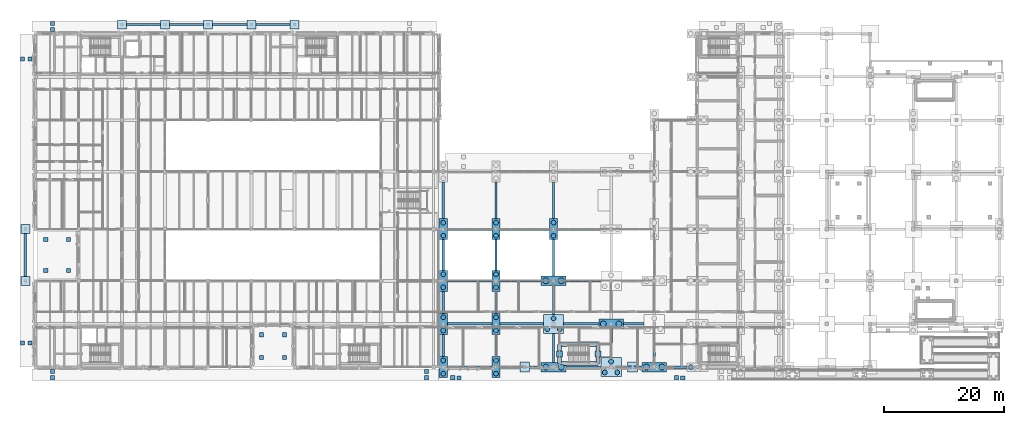
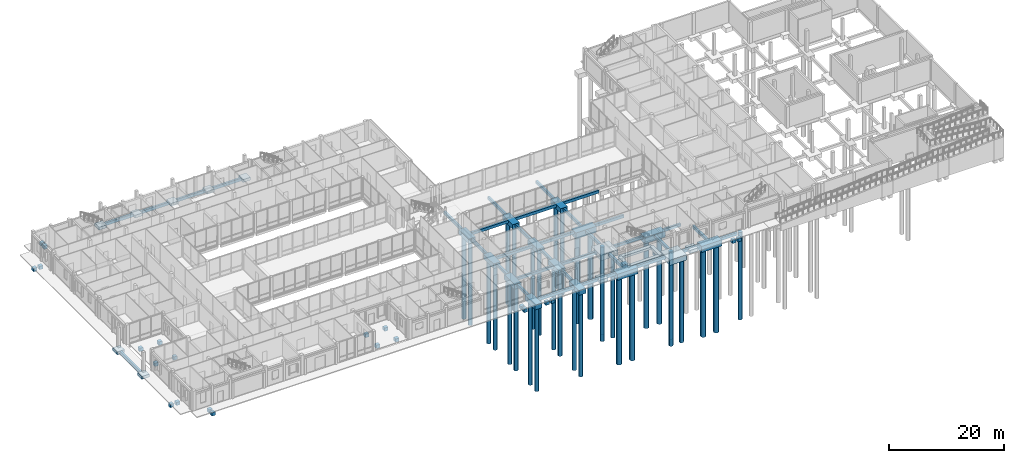
# One storey, part 1 of 104: 86 footings, 33 piles.
"""IFC4 building model written with IfcOpenShell, lengths in metres."""

from ifc_helpers import new_model, si_unit, direction, frame, origin, origin_2d, place, context, subcontext, project, spatial, rectangle, circle, extrude, material, layer, layer_set, material_profile, profile_set, type_object, element, save


model = new_model("IFC4")

# Units and contexts
model_context = context("Model", 3, precision=1e-05, world=origin(), true_north=direction((0.0, 1.0)))
body_context = subcontext(model_context, "Body", "Model", "MODEL_VIEW")
ifc_project = project(units=[si_unit("LENGTHUNIT", "METRE"), si_unit("AREAUNIT", "SQUARE_METRE"), si_unit("VOLUMEUNIT", "CUBIC_METRE"), si_unit("PLANEANGLEUNIT", "RADIAN"), si_unit("MASSUNIT", "GRAM", prefix="KILO")], contexts=[model_context])

# Site, building, storey
site_placement = place(None, origin())
site = spatial("IfcSite", under=ifc_project, at=site_placement, CompositionType="ELEMENT")
building_placement = place(site_placement, origin())
building = spatial("IfcBuilding", under=site, at=building_placement, Name="Hawrajan Terrace Health Centre", CompositionType="ELEMENT")
storey_placement = place(building_placement, origin())
storey = spatial("IfcBuildingStorey", under=building, at=storey_placement, Name="L00", CompositionType="ELEMENT", Elevation=0.0)

# Piles
ifc_material = material(Name="Concrete C40/50", Category="concrete")
ifc_material_profile_1 = material_profile(ifc_material, circle(Radius=0.5, at=origin_2d()), Name="BP 1000")
ifc_profile_set_1 = profile_set([ifc_material_profile_1], Name="Concrete C40/50")
pile_type_1 = type_object("IfcPileType", Name="BoredPile_1000", PredefinedType="BORED", material=ifc_profile_set_1)
for number, where, z_axis, x_axis, name in (
    (1, (89.699951171875, 4.199951171875, -0.5), (0.0, 0.0, -1.0), (1.0, 0.0, 0.0), "Bored pile P-263"),
    (2, (92.300048828125, 4.199951171875, -0.5), (0.0, 0.0, -1.0), (1.0, 0.0, 0.0), "Bored pile P-264"),
    (3, (89.699951171875, 18.60009765625, -0.5), (0.0, 0.0, -1.0), (1.0, 0.0, 0.0), "Bored pile P-268"),
    (4, (92.300048828125, 18.60009765625, -0.5), (0.0, 0.0, -1.0), (1.0, 0.0, 0.0), "Bored pile P-269"),
    (5, (99.300048828125, 11.39990234375, -0.5), (0.0, 0.0, -1.0), (1.0, 0.0, 0.0), "Bored pile P-277"),
    (6, (101.89990234375, 11.39990234375, -0.5), (0.0, 0.0, -1.0), (1.0, 0.0, 0.0), "Bored pile P-278"),
    (7, (106.5, 4.199951171875, -0.5), (0.0, 0.0, -1.0), (1.0, 0.0, 0.0), "Bored pile P-286"),
    (8, (109.10009765625, 4.199951171875, -0.5), (0.0, 0.0, -1.0), (1.0, 0.0, 0.0), "Bored pile P-287"),
):
    element("IfcPile", number, at=place(storey_placement, frame(where, z_axis=z_axis, x_axis=x_axis)), inside=storey, type_object=pile_type_1, Name=name, PredefinedType="BORED", context=body_context, shape_type="SweptSolid", body=[
        extrude(circle(Radius=0.5, at=origin_2d()), origin(), (0.0, 0.0, 1.0), 19.5),
    ])
ifc_material_profile_2 = material_profile(ifc_material, circle(Radius=0.39990234375, at=origin_2d()), Name="BP 800")
ifc_profile_set_2 = profile_set([ifc_material_profile_2], Name="Concrete C40/50")
pile_type_2 = type_object("IfcPileType", Name="BoredPile_800", PredefinedType="BORED", material=ifc_profile_set_2)
for number, where, z_axis, x_axis, name in (
    (9, (72.60009765625, 3.10009765625, -0.5), (0.0, 0.0, -1.0), (1.0, 0.0, 0.0), "Bored pile P-243"),
    (10, (72.60009765625, 5.300048828125, -0.5), (0.0, 0.0, -1.0), (1.0, 0.0, 0.0), "Bored pile P-244"),
    (11, (72.60009765625, 10.300048828125, -0.5), (0.0, 0.0, -1.0), (1.0, 0.0, 0.0), "Bored pile P-245"),
    (12, (72.60009765625, 12.5, -0.5), (0.0, 0.0, -1.0), (1.0, 0.0, 0.0), "Bored pile P-246"),
    (13, (72.60009765625, 17.5, -0.5), (0.0, 0.0, -1.0), (1.0, 0.0, 0.0), "Bored pile P-247"),
    (14, (72.60009765625, 19.699951171875, -0.5), (0.0, 0.0, -1.0), (1.0, 0.0, 0.0), "Bored pile P-248"),
    (15, (72.60009765625, 26.10009765625, -0.5), (0.0, 0.0, -1.0), (1.0, 0.0, 0.0), "Bored pile P-249"),
    (16, (72.60009765625, 28.300048828125, -0.5), (0.0, 0.0, -1.0), (1.0, 0.0, 0.0), "Bored pile P-250"),
    (17, (81.39990234375, 3.10009765625, -0.5), (0.0, 0.0, -1.0), (1.0, 0.0, 0.0), "Bored pile P-253"),
    (18, (81.39990234375, 5.300048828125, -0.5), (0.0, 0.0, -1.0), (1.0, 0.0, 0.0), "Bored pile P-254"),
    (19, (81.39990234375, 10.300048828125, -0.5), (0.0, 0.0, -1.0), (1.0, 0.0, 0.0), "Bored pile P-255"),
    (20, (81.39990234375, 12.5, -0.5), (0.0, 0.0, -1.0), (1.0, 0.0, 0.0), "Bored pile P-256"),
    (21, (81.39990234375, 17.5, -0.5), (0.0, 0.0, -1.0), (1.0, 0.0, 0.0), "Bored pile P-257"),
    (22, (81.39990234375, 19.699951171875, -0.5), (0.0, 0.0, -1.0), (1.0, 0.0, 0.0), "Bored pile P-258"),
    (23, (81.39990234375, 26.10009765625, -0.5), (0.0, 0.0, -1.0), (1.0, 0.0, 0.0), "Bored pile P-259"),
    (24, (81.39990234375, 28.300048828125, -0.5), (0.0, 0.0, -1.0), (1.0, 0.0, 0.0), "Bored pile P-260"),
    (25, (89.949951171875, 10.5, -0.5), (0.0, 0.0, -1.0), (1.0, 0.0, 0.0), "Bored pile P-265"),
    (26, (92.050048828125, 10.5, -0.5), (0.0, 0.0, -1.0), (1.0, 0.0, 0.0), "Bored pile P-266"),
    (27, (91.0, 12.320068359375, -0.5), (0.0, 0.0, -1.0), (1.0, 0.0, 0.0), "Bored pile P-267"),
    (28, (91.0, 26.10009765625, -0.5), (0.0, 0.0, -1.0), (1.0, 0.0, 0.0), "Bored pile P-270"),
    (29, (91.0, 28.300048828125, -0.5), (0.0, 0.0, -1.0), (1.0, 0.0, 0.0), "Bored pile P-271"),
    (30, (99.550048828125, 3.300048828125, -0.5), (0.0, 0.0, -1.0), (1.0, 0.0, 0.0), "Bored pile P-274"),
    (31, (101.64990234375, 3.300048828125, -0.5), (0.0, 0.0, -1.0), (1.0, 0.0, 0.0), "Bored pile P-275"),
    (32, (100.60009765625, 5.1201171875, -0.5), (0.0, 0.0, -1.0), (1.0, 0.0, 0.0), "Bored pile P-276"),
    (33, (113.89990234375, 4.199951171875, -0.5), (0.0, 0.0, -1.0), (1.0, 0.0, 0.0), "Bored pile P-299"),
):
    element("IfcPile", number, at=place(storey_placement, frame(where, z_axis=z_axis, x_axis=x_axis)), inside=storey, type_object=pile_type_2, Name=name, PredefinedType="BORED", context=body_context, shape_type="SweptSolid", body=[
        extrude(circle(Radius=0.39990234375, at=origin_2d()), origin(), (0.0, 0.0, 1.0), 18.5),
    ])

# Footings
ifc_material_profile_3 = material_profile(ifc_material, rectangle(XDim=0.39990234375, YDim=0.60009765625, at=origin_2d()), Name="RC BM 400x600")
ifc_profile_set_3 = profile_set([ifc_material_profile_3], Name="Concrete C40/50")
footing_type_1 = type_object("IfcFootingType", Name="GroundBeam_400x600", PredefinedType="FOOTING_BEAM", material=ifc_profile_set_3)
footing_1_placement = place(storey_placement, frame((73.300048828125, 4.199951171875, -0.699951171875), z_axis=(1.0, 0.0, 0.0), x_axis=(0.0, 1.0, 0.0)))
element("IfcFooting", 34, at=footing_1_placement, inside=storey, type_object=footing_type_1, Name="Ground tie beam GB-X-C-10-1", PredefinedType="FOOTING_BEAM", context=body_context, shape_type="SweptSolid", body=[
    extrude(rectangle(XDim=0.39990234375, YDim=0.60009765625, at=origin_2d()), origin(), (0.0, 0.0, 1.0), 7.39990234375),
])
footing_2_placement = place(storey_placement, frame((72.60009765625, 5.949951171875, -0.699951171875), z_axis=(0.0, 1.0, 0.0), x_axis=(-1.0, 0.0, 0.0)))
element("IfcFooting", 35, at=footing_2_placement, inside=storey, type_object=footing_type_1, Name="Ground tie beam GB-Y-C-10-1", PredefinedType="FOOTING_BEAM", context=body_context, shape_type="SweptSolid", body=[
    extrude(rectangle(XDim=0.39990234375, YDim=0.60009765625, at=origin_2d()), origin(), (0.0, 0.0, 1.0), 3.699951171875),
])
footing_3_placement = place(storey_placement, frame((73.300048828125, 11.39990234375, -0.699951171875), z_axis=(1.0, 0.0, 0.0), x_axis=(0.0, 1.0, 0.0)))
element("IfcFooting", 36, at=footing_3_placement, inside=storey, type_object=footing_type_1, Name="Ground tie beam GB-X-C-10-2", PredefinedType="FOOTING_BEAM", context=body_context, shape_type="SweptSolid", body=[
    extrude(rectangle(XDim=0.39990234375, YDim=0.60009765625, at=origin_2d()), origin(), (0.0, 0.0, 1.0), 7.39990234375),
])
footing_4_placement = place(storey_placement, frame((72.60009765625, 13.14990234375, -0.699951171875), z_axis=(0.0, 1.0, 0.0), x_axis=(-1.0, 0.0, 0.0)))
element("IfcFooting", 37, at=footing_4_placement, inside=storey, type_object=footing_type_1, Name="Ground tie beam GB-Y-C-10-2", PredefinedType="FOOTING_BEAM", context=body_context, shape_type="SweptSolid", body=[
    extrude(rectangle(XDim=0.39990234375, YDim=0.60009765625, at=origin_2d()), origin(), (0.0, 0.0, 1.0), 3.7001953125),
])
footing_5_placement = place(storey_placement, frame((73.300048828125, 18.60009765625, -0.699951171875), z_axis=(1.0, 0.0, 0.0), x_axis=(0.0, 1.0, 0.0)))
element("IfcFooting", 38, at=footing_5_placement, inside=storey, type_object=footing_type_1, Name="Ground tie beam GB-X-C-10-3", PredefinedType="FOOTING_BEAM", context=body_context, shape_type="SweptSolid", body=[
    extrude(rectangle(XDim=0.39990234375, YDim=0.60009765625, at=origin_2d()), origin(), (0.0, 0.0, 1.0), 7.39990234375),
])
footing_6_placement = place(storey_placement, frame((72.60009765625, 20.35009765625, -0.699951171875), z_axis=(0.0, 1.0, 0.0), x_axis=(-1.0, 0.0, 0.0)))
element("IfcFooting", 39, at=footing_6_placement, inside=storey, type_object=footing_type_1, Name="Ground tie beam GB-Y-C-10-3", PredefinedType="FOOTING_BEAM", context=body_context, shape_type="SweptSolid", body=[
    extrude(rectangle(XDim=0.39990234375, YDim=0.60009765625, at=origin_2d()), origin(), (0.0, 0.0, 1.0), 5.099853515625),
])
footing_7_placement = place(storey_placement, frame((73.300048828125, 27.199951171875, -0.699951171875), z_axis=(1.0, 0.0, 0.0), x_axis=(0.0, 1.0, 0.0)))
element("IfcFooting", 40, at=footing_7_placement, inside=storey, type_object=footing_type_1, Name="Ground tie beam GB-X-C-10-4", PredefinedType="FOOTING_BEAM", context=body_context, shape_type="SweptSolid", body=[
    extrude(rectangle(XDim=0.39990234375, YDim=0.60009765625, at=origin_2d()), origin(), (0.0, 0.0, 1.0), 7.39990234375),
])
footing_8_placement = place(storey_placement, frame((72.60009765625, 28.949951171875, -0.699951171875), z_axis=(0.0, 1.0, 0.0), x_axis=(-1.0, 0.0, 0.0)))
element("IfcFooting", 41, at=footing_8_placement, inside=storey, type_object=footing_type_1, Name="Ground tie beam GB-Y-C-10-4", PredefinedType="FOOTING_BEAM", context=body_context, shape_type="SweptSolid", body=[
    extrude(rectangle(XDim=0.39990234375, YDim=0.60009765625, at=origin_2d()), origin(), (0.0, 0.0, 1.0), 6.10009765625),
])
footing_9_placement = place(storey_placement, frame((82.10009765625, 4.199951171875, -0.699951171875), z_axis=(1.0, 0.0, 0.0), x_axis=(0.0, 1.0, 0.0)))
element("IfcFooting", 42, at=footing_9_placement, inside=storey, type_object=footing_type_1, Name="Ground tie beam GB-X-C-11-1", PredefinedType="FOOTING_BEAM", context=body_context, shape_type="SweptSolid", body=[
    extrude(rectangle(XDim=0.39990234375, YDim=0.60009765625, at=origin_2d()), origin(), (0.0, 0.0, 1.0), 6.849853515625),
])
footing_10_placement = place(storey_placement, frame((81.39990234375, 5.949951171875, -0.699951171875), z_axis=(0.0, 1.0, 0.0), x_axis=(-1.0, 0.0, 0.0)))
element("IfcFooting", 43, at=footing_10_placement, inside=storey, type_object=footing_type_1, Name="Ground tie beam GB-Y-C-11-1", PredefinedType="FOOTING_BEAM", context=body_context, shape_type="SweptSolid", body=[
    extrude(rectangle(XDim=0.39990234375, YDim=0.60009765625, at=origin_2d()), origin(), (0.0, 0.0, 1.0), 3.699951171875),
])
footing_11_placement = place(storey_placement, frame((82.10009765625, 11.39990234375, -0.699951171875), z_axis=(1.0, 0.0, 0.0), x_axis=(0.0, 1.0, 0.0)))
element("IfcFooting", 44, at=footing_11_placement, inside=storey, type_object=footing_type_1, Name="Ground tie beam GB-X-C-11-2", PredefinedType="FOOTING_BEAM", context=body_context, shape_type="SweptSolid", body=[
    extrude(rectangle(XDim=0.39990234375, YDim=0.60009765625, at=origin_2d()), origin(), (0.0, 0.0, 1.0), 7.199951171875),
])
footing_12_placement = place(storey_placement, frame((81.39990234375, 13.14990234375, -0.699951171875), z_axis=(0.0, 1.0, 0.0), x_axis=(-1.0, 0.0, 0.0)))
element("IfcFooting", 45, at=footing_12_placement, inside=storey, type_object=footing_type_1, Name="Ground tie beam GB-Y-C-11-2", PredefinedType="FOOTING_BEAM", context=body_context, shape_type="SweptSolid", body=[
    extrude(rectangle(XDim=0.39990234375, YDim=0.60009765625, at=origin_2d()), origin(), (0.0, 0.0, 1.0), 3.7001953125),
])
footing_13_placement = place(storey_placement, frame((82.10009765625, 18.60009765625, -0.699951171875), z_axis=(1.0, 0.0, 0.0), x_axis=(0.0, 1.0, 0.0)))
element("IfcFooting", 46, at=footing_13_placement, inside=storey, type_object=footing_type_1, Name="Ground tie beam GB-X-C-11-3", PredefinedType="FOOTING_BEAM", context=body_context, shape_type="SweptSolid", body=[
    extrude(rectangle(XDim=0.39990234375, YDim=0.60009765625, at=origin_2d()), origin(), (0.0, 0.0, 1.0), 6.849853515625),
])
footing_14_placement = place(storey_placement, frame((81.39990234375, 20.35009765625, -0.699951171875), z_axis=(0.0, 1.0, 0.0), x_axis=(-1.0, 0.0, 0.0)))
element("IfcFooting", 47, at=footing_14_placement, inside=storey, type_object=footing_type_1, Name="Ground tie beam GB-Y-C-11-3", PredefinedType="FOOTING_BEAM", context=body_context, shape_type="SweptSolid", body=[
    extrude(rectangle(XDim=0.39990234375, YDim=0.60009765625, at=origin_2d()), origin(), (0.0, 0.0, 1.0), 5.099853515625),
])
footing_15_placement = place(storey_placement, frame((82.10009765625, 27.199951171875, -0.699951171875), z_axis=(1.0, 0.0, 0.0), x_axis=(0.0, 1.0, 0.0)))
element("IfcFooting", 48, at=footing_15_placement, inside=storey, type_object=footing_type_1, Name="Ground tie beam GB-X-C-11-4", PredefinedType="FOOTING_BEAM", context=body_context, shape_type="SweptSolid", body=[
    extrude(rectangle(XDim=0.39990234375, YDim=0.60009765625, at=origin_2d()), origin(), (0.0, 0.0, 1.0), 8.199951171875),
])
footing_16_placement = place(storey_placement, frame((81.39990234375, 28.949951171875, -0.699951171875), z_axis=(0.0, 1.0, 0.0), x_axis=(-1.0, 0.0, 0.0)))
element("IfcFooting", 49, at=footing_16_placement, inside=storey, type_object=footing_type_1, Name="Ground tie beam GB-Y-C-11-4", PredefinedType="FOOTING_BEAM", context=body_context, shape_type="SweptSolid", body=[
    extrude(rectangle(XDim=0.39990234375, YDim=0.60009765625, at=origin_2d()), origin(), (0.0, 0.0, 1.0), 6.10009765625),
])
footing_17_placement = place(storey_placement, frame((93.050048828125, 4.199951171875, -0.699951171875), z_axis=(1.0, 0.0, 0.0), x_axis=(0.0, 1.0, 0.0)))
element("IfcFooting", 50, at=footing_17_placement, inside=storey, type_object=footing_type_1, Name="Ground tie beam GB-X-C-12-1", PredefinedType="FOOTING_BEAM", context=body_context, shape_type="SweptSolid", body=[
    extrude(rectangle(XDim=0.39990234375, YDim=0.60009765625, at=origin_2d()), origin(), (0.0, 0.0, 1.0), 5.849853515625),
])
footing_18_placement = place(storey_placement, frame((91.0, 5.0, -0.699951171875), z_axis=(0.0, 1.0, 0.0), x_axis=(-1.0, 0.0, 0.0)))
element("IfcFooting", 51, at=footing_18_placement, inside=storey, type_object=footing_type_1, Name="Ground tie beam GB-Y-C-12-1", PredefinedType="FOOTING_BEAM", context=body_context, shape_type="SweptSolid", body=[
    extrude(rectangle(XDim=0.39990234375, YDim=0.60009765625, at=origin_2d()), origin(), (0.0, 0.0, 1.0), 4.800048828125),
])
footing_19_placement = place(storey_placement, frame((92.699951171875, 11.39990234375, -0.699951171875), z_axis=(1.0, 0.0, 0.0), x_axis=(0.0, 1.0, 0.0)))
element("IfcFooting", 52, at=footing_19_placement, inside=storey, type_object=footing_type_1, Name="Ground tie beam GB-X-C-12-2", PredefinedType="FOOTING_BEAM", context=body_context, shape_type="SweptSolid", body=[
    extrude(rectangle(XDim=0.39990234375, YDim=0.60009765625, at=origin_2d()), origin(), (0.0, 0.0, 1.0), 5.85009765625),
])
footing_20_placement = place(storey_placement, frame((91.0, 13.0, -0.699951171875), z_axis=(0.0, 1.0, 0.0), x_axis=(-1.0, 0.0, 0.0)))
element("IfcFooting", 53, at=footing_20_placement, inside=storey, type_object=footing_type_1, Name="Ground tie beam GB-Y-C-12-2", PredefinedType="FOOTING_BEAM", context=body_context, shape_type="SweptSolid", body=[
    extrude(rectangle(XDim=0.39990234375, YDim=0.60009765625, at=origin_2d()), origin(), (0.0, 0.0, 1.0), 4.800048828125),
])
footing_21_placement = place(storey_placement, frame((93.050048828125, 18.60009765625, -0.699951171875), z_axis=(1.0, 0.0, 0.0), x_axis=(0.0, 1.0, 0.0)))
element("IfcFooting", 54, at=footing_21_placement, inside=storey, type_object=footing_type_1, Name="Ground tie beam GB-X-C-12-3", PredefinedType="FOOTING_BEAM", context=body_context, shape_type="SweptSolid", body=[
    extrude(rectangle(XDim=0.39990234375, YDim=0.60009765625, at=origin_2d()), origin(), (0.0, 0.0, 1.0), 5.849853515625),
])
footing_22_placement = place(storey_placement, frame((91.0, 19.39990234375, -0.699951171875), z_axis=(0.0, 1.0, 0.0), x_axis=(-1.0, 0.0, 0.0)))
element("IfcFooting", 55, at=footing_22_placement, inside=storey, type_object=footing_type_1, Name="Ground tie beam GB-Y-C-12-3", PredefinedType="FOOTING_BEAM", context=body_context, shape_type="SweptSolid", body=[
    extrude(rectangle(XDim=0.39990234375, YDim=0.60009765625, at=origin_2d()), origin(), (0.0, 0.0, 1.0), 6.050048828125),
])
footing_23_placement = place(storey_placement, frame((91.699951171875, 27.199951171875, -0.699951171875), z_axis=(1.0, 0.0, 0.0), x_axis=(0.0, 1.0, 0.0)))
element("IfcFooting", 56, at=footing_23_placement, inside=storey, type_object=footing_type_1, Name="Ground tie beam GB-X-C-12-4", PredefinedType="FOOTING_BEAM", context=body_context, shape_type="SweptSolid", body=[
    extrude(rectangle(XDim=0.39990234375, YDim=0.60009765625, at=origin_2d()), origin(), (0.0, 0.0, 1.0), 7.150146484375),
])
footing_24_placement = place(storey_placement, frame((91.0, 28.949951171875, -0.699951171875), z_axis=(0.0, 1.0, 0.0), x_axis=(-1.0, 0.0, 0.0)))
element("IfcFooting", 57, at=footing_24_placement, inside=storey, type_object=footing_type_1, Name="Ground tie beam GB-Y-C-12-4", PredefinedType="FOOTING_BEAM", context=body_context, shape_type="SweptSolid", body=[
    extrude(rectangle(XDim=0.39990234375, YDim=0.60009765625, at=origin_2d()), origin(), (0.0, 0.0, 1.0), 6.10009765625),
])
footing_25_placement = place(storey_placement, frame((102.300048828125, 4.199951171875, -0.699951171875), z_axis=(1.0, 0.0, 0.0), x_axis=(0.0, 1.0, 0.0)))
element("IfcFooting", 58, at=footing_25_placement, inside=storey, type_object=footing_type_1, Name="Ground tie beam GB-X-C-13-1", PredefinedType="FOOTING_BEAM", context=body_context, shape_type="SweptSolid", body=[
    extrude(rectangle(XDim=0.39990234375, YDim=0.60009765625, at=origin_2d()), origin(), (0.0, 0.0, 1.0), 3.449951171875),
])
footing_26_placement = place(storey_placement, frame((100.60009765625, 5.800048828125, -0.699951171875), z_axis=(0.0, 1.0, 0.0), x_axis=(-1.0, 0.0, 0.0)))
element("IfcFooting", 59, at=footing_26_placement, inside=storey, type_object=footing_type_1, Name="Ground tie beam GB-Y-C-13-1", PredefinedType="FOOTING_BEAM", context=body_context, shape_type="SweptSolid", body=[
    extrude(rectangle(XDim=0.39990234375, YDim=0.60009765625, at=origin_2d()), origin(), (0.0, 0.0, 1.0), 4.800048828125),
])
footing_27_placement = place(storey_placement, frame((102.64990234375, 11.39990234375, -0.699951171875), z_axis=(1.0, 0.0, 0.0), x_axis=(0.0, 1.0, 0.0)))
element("IfcFooting", 60, at=footing_27_placement, inside=storey, type_object=footing_type_1, Name="Ground tie beam GB-X-C-13-2", PredefinedType="FOOTING_BEAM", context=body_context, shape_type="SweptSolid", body=[
    extrude(rectangle(XDim=0.39990234375, YDim=0.60009765625, at=origin_2d()), origin(), (0.0, 0.0, 1.0), 3.4501953125),
])
footing_28_placement = place(storey_placement, frame((109.85009765625, 4.199951171875, -0.699951171875), z_axis=(1.0, 0.0, 0.0), x_axis=(0.0, 1.0, 0.0)))
element("IfcFooting", 61, at=footing_28_placement, inside=storey, type_object=footing_type_1, Name="Ground tie beam GB-X-C-14-1", PredefinedType="FOOTING_BEAM", context=body_context, shape_type="SweptSolid", body=[
    extrude(rectangle(XDim=0.39990234375, YDim=0.60009765625, at=origin_2d()), origin(), (0.0, 0.0, 1.0), 3.39990234375),
])
footing_29_placement = place(storey_placement, frame((107.800048828125, 5.0, -0.699951171875), z_axis=(0.0, 1.0, 0.0), x_axis=(-1.0, 0.0, 0.0)))
element("IfcFooting", 62, at=footing_29_placement, inside=storey, type_object=footing_type_1, Name="Ground tie beam GB-Y-C-14-1", PredefinedType="FOOTING_BEAM", context=body_context, shape_type="SweptSolid", body=[
    extrude(rectangle(XDim=0.39990234375, YDim=0.60009765625, at=origin_2d()), origin(), (0.0, 0.0, 1.0), 4.800048828125),
])
footing_30_placement = place(storey_placement, frame((2.89990234375, 19.35009765625, -0.699951171875), z_axis=(0.0, 1.0, 0.0), x_axis=(-1.0, 0.0, 0.0)))
element("IfcFooting", 63, at=footing_30_placement, inside=storey, type_object=footing_type_1, Name="Portico ground tie beam NS", PredefinedType="FOOTING_BEAM", context=body_context, shape_type="SweptSolid", body=[
    extrude(rectangle(XDim=0.39990234375, YDim=0.60009765625, at=origin_2d()), origin(), (0.0, 0.0, 1.0), 7.099853515625),
])
for number, where, z_axis, x_axis, name in (
    (64, (19.75, 61.35009765625, -0.699951171875), (1.0, 0.0, 0.0), (0.0, 1.0, 0.0), "North arcade ground tie beam 1"),
    (65, (26.949951171875, 61.35009765625, -0.699951171875), (1.0, 0.0, 0.0), (0.0, 1.0, 0.0), "North arcade ground tie beam 2"),
):
    element("IfcFooting", number, at=place(storey_placement, frame(where, z_axis=z_axis, x_axis=x_axis)), inside=storey, type_object=footing_type_1, Name=name, PredefinedType="FOOTING_BEAM", context=body_context, shape_type="SweptSolid", body=[
        extrude(rectangle(XDim=0.39990234375, YDim=0.60009765625, at=origin_2d()), origin(), (0.0, 0.0, 1.0), 5.699951171875),
    ])
footing_31_placement = place(storey_placement, frame((34.14990234375, 61.35009765625, -0.699951171875), z_axis=(1.0, 0.0, 0.0), x_axis=(0.0, 1.0, 0.0)))
element("IfcFooting", 66, at=footing_31_placement, inside=storey, type_object=footing_type_1, Name="North arcade ground tie beam 3", PredefinedType="FOOTING_BEAM", context=body_context, shape_type="SweptSolid", body=[
    extrude(rectangle(XDim=0.39990234375, YDim=0.60009765625, at=origin_2d()), origin(), (0.0, 0.0, 1.0), 5.7001953125),
])
footing_32_placement = place(storey_placement, frame((41.35009765625, 61.35009765625, -0.699951171875), z_axis=(1.0, 0.0, 0.0), x_axis=(0.0, 1.0, 0.0)))
element("IfcFooting", 67, at=footing_32_placement, inside=storey, type_object=footing_type_1, Name="North arcade ground tie beam 4", PredefinedType="FOOTING_BEAM", context=body_context, shape_type="SweptSolid", body=[
    extrude(rectangle(XDim=0.39990234375, YDim=0.60009765625, at=origin_2d()), origin(), (0.0, 0.0, 1.0), 5.699951171875),
])
ifc_layer_1 = layer(ifc_material, 0.60009765625)
ifc_layer_set_1 = layer_set([ifc_layer_1], Name="Concrete C40/50")
footing_type_2 = type_object("IfcFootingType", Name="PadFooting_1000", PredefinedType="PAD_FOOTING", material=ifc_layer_set_1)
for number, where, z_axis, x_axis, name in (
    (68, (92.0, 6.39990234375, -1.5), (0.0, 0.0, 1.0), (1.0, 0.0, 0.0), "Stair S5 mid-strip pad footing W"),
    (69, (98.39990234375, 6.39990234375, -1.5), (0.0, 0.0, 1.0), (1.0, 0.0, 0.0), "Stair S5 mid-strip pad footing E"),
):
    element("IfcFooting", number, at=place(storey_placement, frame(where, z_axis=z_axis, x_axis=x_axis)), inside=storey, type_object=footing_type_2, Name=name, PredefinedType="PAD_FOOTING", context=body_context, shape_type="SweptSolid", body=[
        extrude(rectangle(XDim=1.0, YDim=1.0, at=origin_2d()), origin(), (0.0, 0.0, 1.0), 0.60009765625),
    ])
ifc_layer_2 = layer(ifc_material, 0.60009765625)
ifc_layer_set_2 = layer_set([ifc_layer_2], Name="Concrete C40/50")
footing_type_3 = type_object("IfcFootingType", Name="PadFooting_1500", PredefinedType="PAD_FOOTING", material=ifc_layer_set_2)
for number, where, z_axis, x_axis, name in (
    (70, (2.89990234375, 18.60009765625, -1.0), (0.0, 0.0, 1.0), (1.0, 0.0, 0.0), "Patient drop-off portico pad footing 1"),
    (71, (2.89990234375, 27.199951171875, -1.0), (0.0, 0.0, 1.0), (1.0, 0.0, 0.0), "Patient drop-off portico pad footing 2"),
    (72, (19.0, 61.35009765625, -1.0), (0.0, 0.0, 1.0), (1.0, 0.0, 0.0), "North shade arcade pad footing 1"),
    (73, (26.199951171875, 61.35009765625, -1.0), (0.0, 0.0, 1.0), (1.0, 0.0, 0.0), "North shade arcade pad footing 2"),
    (74, (33.39990234375, 61.35009765625, -1.0), (0.0, 0.0, 1.0), (1.0, 0.0, 0.0), "North shade arcade pad footing 3"),
    (75, (40.60009765625, 61.35009765625, -1.0), (0.0, 0.0, 1.0), (1.0, 0.0, 0.0), "North shade arcade pad footing 4"),
    (76, (47.800048828125, 61.35009765625, -1.0), (0.0, 0.0, 1.0), (1.0, 0.0, 0.0), "North shade arcade pad footing 5"),
):
    element("IfcFooting", number, at=place(storey_placement, frame(where, z_axis=z_axis, x_axis=x_axis)), inside=storey, type_object=footing_type_3, Name=name, PredefinedType="PAD_FOOTING", context=body_context, shape_type="SweptSolid", body=[
        extrude(rectangle(XDim=1.5, YDim=1.5, at=origin_2d()), origin(), (0.0, 0.0, 1.0), 0.60009765625),
    ])
ifc_layer_3 = layer(ifc_material, 0.64990234375)
ifc_layer_set_3 = layer_set([ifc_layer_3], Name="Concrete C40/50")
footing_type_4 = type_object("IfcFootingType", Name="PadFooting_1650", PredefinedType="PAD_FOOTING", material=ifc_layer_set_3)
for number, where, z_axis, x_axis, name in (
    (77, (86.199951171875, 4.199951171875, -1.050048828125), (0.0, 0.0, 1.0), (1.0, 0.0, 0.0), "Pilaster pad footing C-11-Y1"),
    (78, (104.199951171875, 4.199951171875, -1.050048828125), (0.0, 0.0, 1.0), (1.0, 0.0, 0.0), "Pilaster pad footing C-13-Y1"),
):
    element("IfcFooting", number, at=place(storey_placement, frame(where, z_axis=z_axis, x_axis=x_axis)), inside=storey, type_object=footing_type_4, Name=name, PredefinedType="PAD_FOOTING", context=body_context, shape_type="SweptSolid", body=[
        extrude(rectangle(XDim=1.64990234375, YDim=1.64990234375, at=origin_2d()), origin(), (0.0, 0.0, 1.0), 0.64990234375),
    ])
ifc_layer_4 = layer(ifc_material, 0.699951171875)
ifc_layer_set_4 = layer_set([ifc_layer_4], Name="Concrete C40/50")
footing_type_5 = type_object("IfcFootingType", Name="PadFooting_700", PredefinedType="PAD_FOOTING", material=ifc_layer_set_4)
for number, where, z_axis, x_axis, name in (
    (79, (7.39990234375, 60.52001953125, -0.89990234375), (0.0, 0.0, 1.0), (1.0, 0.0, 0.0), "Apron pad footing APRON-L00-NW-1"),
    (80, (7.39990234375, 61.52001953125, -0.89990234375), (0.0, 0.0, 1.0), (1.0, 0.0, 0.0), "Apron pad footing APRON-L00-NW-4"),
    (81, (7.39990234375, 2.419921875, -0.89990234375), (0.0, 0.0, 1.0), (1.0, 0.0, 0.0), "Apron pad footing APRON-L00-SOUTH-W-1"),
    (82, (69.800048828125, 2.419921875, -0.89990234375), (0.0, 0.0, 1.0), (1.0, 0.0, 0.0), "Apron pad footing APRON-L00-SOUTH-W-2"),
    (83, (69.800048828125, 3.449951171875, -0.89990234375), (0.0, 0.0, 1.0), (1.0, 0.0, 0.0), "Apron pad footing APRON-L00-SOUTH-W-3"),
    (84, (7.39990234375, 3.449951171875, -0.89990234375), (0.0, 0.0, 1.0), (1.0, 0.0, 0.0), "Apron pad footing APRON-L00-SOUTH-W-4"),
    (85, (74.199951171875, 2.419921875, -0.89990234375), (0.0, 0.0, 1.0), (1.0, 0.0, 0.0), "Apron pad footing APRON-L00-SOUTH-E-1"),
    (86, (111.5, 2.419921875, -0.89990234375), (0.0, 0.0, 1.0), (1.0, 0.0, 0.0), "Apron pad footing APRON-L00-SOUTH-E-2"),
    (87, (112.550048828125, 2.39990234375, -0.89990234375), (0.0, 0.0, 1.0), (1.0, 0.0, 0.0), "Apron pad footing APRON-L00-SOUTH-E-3"),
    (88, (75.25, 2.39990234375, -0.89990234375), (0.0, 0.0, 1.0), (1.0, 0.0, 0.0), "Apron pad footing APRON-L00-SOUTH-E-4"),
    (89, (2.419921875, 8.199951171875, -0.89990234375), (0.0, 0.0, 1.0), (1.0, 0.0, 0.0), "Apron pad footing APRON-L00-WEST-1"),
    (90, (3.64990234375, 8.199951171875, -0.89990234375), (0.0, 0.0, 1.0), (1.0, 0.0, 0.0), "Apron pad footing APRON-L00-WEST-2"),
    (91, (3.64990234375, 55.60009765625, -0.89990234375), (0.0, 0.0, 1.0), (1.0, 0.0, 0.0), "Apron pad footing APRON-L00-WEST-3"),
    (92, (2.419921875, 55.60009765625, -0.89990234375), (0.0, 0.0, 1.0), (1.0, 0.0, 0.0), "Apron pad footing APRON-L00-WEST-4"),
    (93, (6.300048828125, 20.300048828125, -0.89990234375), (0.0, 0.0, 1.0), (1.0, 0.0, 0.0), "Apron pad footing APRON-L00-FORECOURT-1"),
    (94, (10.10009765625, 20.300048828125, -0.89990234375), (0.0, 0.0, 1.0), (1.0, 0.0, 0.0), "Apron pad footing APRON-L00-FORECOURT-2"),
    (95, (10.10009765625, 25.5, -0.89990234375), (0.0, 0.0, 1.0), (1.0, 0.0, 0.0), "Apron pad footing APRON-L00-FORECOURT-3"),
    (96, (6.300048828125, 25.5, -0.89990234375), (0.0, 0.0, 1.0), (1.0, 0.0, 0.0), "Apron pad footing APRON-L00-FORECOURT-4"),
    (97, (42.300048828125, 5.800048828125, -0.89990234375), (0.0, 0.0, 1.0), (1.0, 0.0, 0.0), "Apron pad footing APRON-L00-SOUTH-COURT-1"),
    (98, (46.10009765625, 5.800048828125, -0.89990234375), (0.0, 0.0, 1.0), (1.0, 0.0, 0.0), "Apron pad footing APRON-L00-SOUTH-COURT-2"),
    (99, (46.10009765625, 9.60009765625, -0.89990234375), (0.0, 0.0, 1.0), (1.0, 0.0, 0.0), "Apron pad footing APRON-L00-SOUTH-COURT-3"),
    (100, (42.300048828125, 9.60009765625, -0.89990234375), (0.0, 0.0, 1.0), (1.0, 0.0, 0.0), "Apron pad footing APRON-L00-SOUTH-COURT-4"),
):
    element("IfcFooting", number, at=place(storey_placement, frame(where, z_axis=z_axis, x_axis=x_axis)), inside=storey, type_object=footing_type_5, Name=name, PredefinedType="PAD_FOOTING", context=body_context, shape_type="SweptSolid", body=[
        extrude(rectangle(XDim=0.699951171875, YDim=0.699951171875, at=origin_2d()), origin(), (0.0, 0.0, 1.0), 0.699951171875),
    ])
ifc_layer_5 = layer(ifc_material, 1.300048828125)
ifc_layer_set_5 = layer_set([ifc_layer_5], Name="Concrete C40/50")
footing_type_6 = type_object("IfcFootingType", Name="PileCap_2P1000_EW", PredefinedType="PILE_CAP", material=ifc_layer_set_5)
for number, where, z_axis, x_axis, name in (
    (101, (91.0, 4.199951171875, -1.7001953125), (0.0, 0.0, 1.0), (1.0, 0.0, 0.0), "Foundation FT-C-X12-Y1"),
    (102, (91.0, 18.60009765625, -1.7001953125), (0.0, 0.0, 1.0), (1.0, 0.0, 0.0), "Foundation FT-C-X12-Y3"),
    (103, (100.60009765625, 11.39990234375, -1.7001953125), (0.0, 0.0, 1.0), (1.0, 0.0, 0.0), "Foundation FT-C-X13-Y2"),
    (104, (107.800048828125, 4.199951171875, -1.7001953125), (0.0, 0.0, 1.0), (1.0, 0.0, 0.0), "Foundation FT-C-X14-Y1"),
):
    element("IfcFooting", number, at=place(storey_placement, frame(where, z_axis=z_axis, x_axis=x_axis)), inside=storey, type_object=footing_type_6, Name=name, PredefinedType="PILE_CAP", context=body_context, shape_type="SweptSolid", body=[
        extrude(rectangle(XDim=4.10009765625, YDim=1.60009765625, at=origin_2d()), origin(), (0.0, 0.0, 1.0), 1.300048828125),
    ])
ifc_layer_6 = layer(ifc_material, 1.0)
ifc_layer_set_6 = layer_set([ifc_layer_6], Name="Concrete C40/50")
footing_type_7 = type_object("IfcFootingType", Name="PileCap_2P800_NS", PredefinedType="PILE_CAP", material=ifc_layer_set_6)
for number, where, z_axis, x_axis, name in (
    (105, (72.60009765625, 4.199951171875, -1.39990234375), (0.0, 0.0, 1.0), (1.0, 0.0, 0.0), "Foundation FT-C-X10-Y1"),
    (106, (72.60009765625, 11.39990234375, -1.39990234375), (0.0, 0.0, 1.0), (1.0, 0.0, 0.0), "Foundation FT-C-X10-Y2"),
    (107, (72.60009765625, 18.60009765625, -1.39990234375), (0.0, 0.0, 1.0), (1.0, 0.0, 0.0), "Foundation FT-C-X10-Y3"),
    (108, (72.60009765625, 27.199951171875, -1.39990234375), (0.0, 0.0, 1.0), (1.0, 0.0, 0.0), "Foundation FT-C-X10-Y4"),
    (109, (81.39990234375, 4.199951171875, -1.39990234375), (0.0, 0.0, 1.0), (1.0, 0.0, 0.0), "Foundation FT-C-X11-Y1"),
    (110, (81.39990234375, 11.39990234375, -1.39990234375), (0.0, 0.0, 1.0), (1.0, 0.0, 0.0), "Foundation FT-C-X11-Y2"),
    (111, (81.39990234375, 18.60009765625, -1.39990234375), (0.0, 0.0, 1.0), (1.0, 0.0, 0.0), "Foundation FT-C-X11-Y3"),
    (112, (81.39990234375, 27.199951171875, -1.39990234375), (0.0, 0.0, 1.0), (1.0, 0.0, 0.0), "Foundation FT-C-X11-Y4"),
    (113, (91.0, 27.199951171875, -1.39990234375), (0.0, 0.0, 1.0), (1.0, 0.0, 0.0), "Foundation FT-C-X12-Y4"),
):
    element("IfcFooting", number, at=place(storey_placement, frame(where, z_axis=z_axis, x_axis=x_axis)), inside=storey, type_object=footing_type_7, Name=name, PredefinedType="PILE_CAP", context=body_context, shape_type="SweptSolid", body=[
        extrude(rectangle(XDim=1.39990234375, YDim=3.5, at=origin_2d()), origin(), (0.0, 0.0, 1.0), 1.0),
    ])
ifc_layer_7 = layer(ifc_material, 1.14990234375)
ifc_layer_set_7 = layer_set([ifc_layer_7], Name="Concrete C40/50")
footing_type_8 = type_object("IfcFootingType", Name="PileCap_3P800", PredefinedType="PILE_CAP", material=ifc_layer_set_7)
for number, where, z_axis, x_axis, name in (
    (114, (91.0, 11.39990234375, -1.550048828125), (0.0, 0.0, 1.0), (1.0, 0.0, 0.0), "Foundation FT-C-X12-Y2"),
    (115, (100.60009765625, 4.199951171875, -1.550048828125), (0.0, 0.0, 1.0), (1.0, 0.0, 0.0), "Foundation FT-C-X13-Y1"),
):
    element("IfcFooting", number, at=place(storey_placement, frame(where, z_axis=z_axis, x_axis=x_axis)), inside=storey, type_object=footing_type_8, Name=name, PredefinedType="PILE_CAP", context=body_context, shape_type="SweptSolid", body=[
        extrude(rectangle(XDim=3.39990234375, YDim=3.199951171875, at=origin_2d()), origin(), (0.0, 0.0, 1.0), 1.14990234375),
    ])
ifc_material_profile_4 = material_profile(ifc_material, rectangle(XDim=0.699951171875, YDim=0.5, at=origin_2d()), Name="RC STRIP 700x500")
ifc_profile_set_4 = profile_set([ifc_material_profile_4], Name="Concrete C40/50")
footing_type_9 = type_object("IfcFootingType", Name="StripFooting_700x500", PredefinedType="STRIP_FOOTING", material=ifc_profile_set_4)
for number, where, z_axis, x_axis, name in (
    (116, (92.0, 4.800048828125, -0.64990234375), (1.0, 0.0, 0.0), (0.0, 1.0, 0.0), "Stair shaft strip footing S5-S"),
    (117, (92.0, 8.0, -0.64990234375), (1.0, 0.0, 0.0), (0.0, 1.0, 0.0), "Stair shaft strip footing S5-N"),
):
    element("IfcFooting", number, at=place(storey_placement, frame(where, z_axis=z_axis, x_axis=x_axis)), inside=storey, type_object=footing_type_9, Name=name, PredefinedType="STRIP_FOOTING", context=body_context, shape_type="SweptSolid", body=[
        extrude(rectangle(XDim=0.699951171875, YDim=0.5, at=origin_2d()), origin(), (0.0, 0.0, 1.0), 6.39990234375),
    ])
for number, where, z_axis, x_axis, name in (
    (118, (92.0, 4.800048828125, -0.64990234375), (0.0, 1.0, 0.0), (-1.0, 0.0, 0.0), "Stair shaft strip footing S5-W"),
    (119, (98.39990234375, 4.800048828125, -0.64990234375), (0.0, 1.0, 0.0), (-1.0, 0.0, 0.0), "Stair shaft strip footing S5-E"),
):
    element("IfcFooting", number, at=place(storey_placement, frame(where, z_axis=z_axis, x_axis=x_axis)), inside=storey, type_object=footing_type_9, Name=name, PredefinedType="STRIP_FOOTING", context=body_context, shape_type="SweptSolid", body=[
        extrude(rectangle(XDim=0.699951171875, YDim=0.5, at=origin_2d()), origin(), (0.0, 0.0, 1.0), 3.199951171875),
    ])

save(model, "model.ifc")
